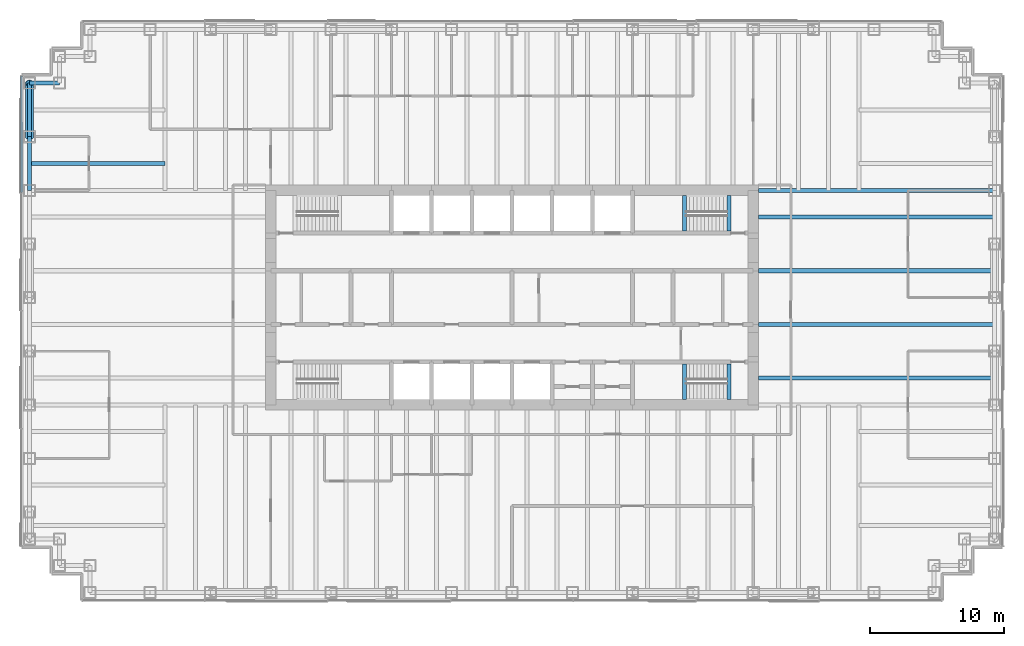
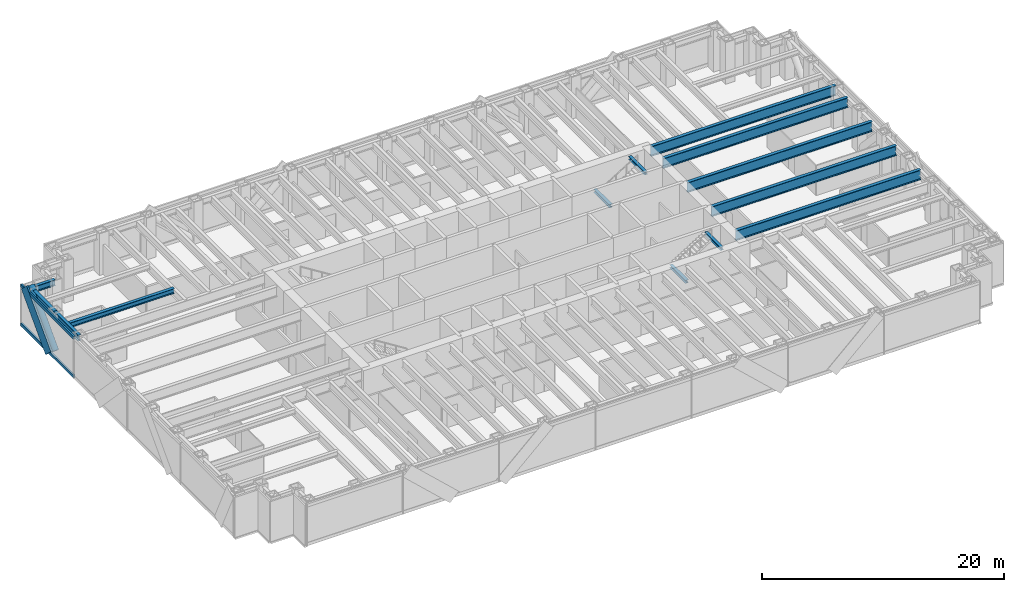
# One storey, part 4 of 14: 13 beams, 4 members, 1 element without a shape of its own.
"""IFC4 building model written with IfcOpenShell, lengths in metres."""

from ifc_helpers import new_model, si_unit, direction, frame, origin, origin_2d, place, context, subcontext, project, spatial, rectangle, hollow_circle, i_section, extrude, material, material_profile, profile_set, type_object, element, aggregate, save


model = new_model("IFC4")

# Units and contexts
model_context = context("Model", 3, precision=1e-05, world=origin(), true_north=direction((0.0, 1.0)))
body_context = subcontext(model_context, "Body", "Model", "MODEL_VIEW")
ifc_project = project(units=[si_unit("LENGTHUNIT", "METRE"), si_unit("AREAUNIT", "SQUARE_METRE"), si_unit("VOLUMEUNIT", "CUBIC_METRE"), si_unit("PLANEANGLEUNIT", "RADIAN"), si_unit("MASSUNIT", "GRAM", prefix="KILO")], contexts=[model_context])

# Site, building, storey
site_placement = place(None, origin())
site = spatial("IfcSite", under=ifc_project, at=site_placement, CompositionType="ELEMENT")
building_placement = place(site_placement, origin())
building = spatial("IfcBuilding", under=site, at=building_placement, Name="Rheinbord Bourse Tower", CompositionType="ELEMENT")
storey_placement = place(building_placement, frame((0.0, 0.0, 232.0)))
storey = spatial("IfcBuildingStorey", under=building, at=storey_placement, Name="L52", CompositionType="ELEMENT", Elevation=232.0)

# Curtain wall, members
ifc_material_1 = material(Name="Dark glass and black aluminium", Category="aluminium")
curtain_wall_type = type_object("IfcCurtainWallType", Name="CW2 DARK GLASS CURTAIN WALL", PredefinedType="USERDEFINED", material=ifc_material_1)
curtain_wall_placement = place(storey_placement, origin())
curtain_wall = element("IfcCurtainWall", 1, at=curtain_wall_placement, inside=storey, type_object=curtain_wall_type, Name="Curtain wall CW2 W L52", ObjectType="UNITISED CURTAIN WALL", PredefinedType="USERDEFINED")
ifc_material_2 = material(Name="Black anodised aluminium", Category="aluminium")
ifc_material_profile_1 = material_profile(ifc_material_2, rectangle(XDim=0.159912109375, YDim=1.2099609375, at=origin_2d()), Name="CW2 DIAGONAL MULLION 1210x160")
ifc_profile_set_1 = profile_set([ifc_material_profile_1], Name="Black anodised aluminium")
member_type_1 = type_object("IfcMemberType", Name="CW2 BLACK DIAGONAL MULLION", PredefinedType="USERDEFINED", material=ifc_profile_set_1)
member_1_placement = place(storey_placement, frame((-0.60009765625, 36.0, 0.0), z_axis=(0.0, 0.689659376744, 0.724133926887), x_axis=(-1.0, 0.0, 0.0)))
member_1 = element("IfcMember", 2, at=member_1_placement, type_object=member_type_1, Name="CW2 diagonal mullion b", ObjectType="DIAGONAL MULLION", PredefinedType="USERDEFINED", context=body_context, shape_type="SweptSolid", body=[
    extrude(rectangle(XDim=0.159912109375, YDim=1.2099609375, at=origin_2d()), origin(), (0.0, 0.0, 1.0), 5.800048828125),
])
ifc_material_3 = material(Name="Black anodised aluminium", Category="aluminium")
ifc_material_profile_2 = material_profile(ifc_material_3, rectangle(XDim=0.159912109375, YDim=0.300048828125, at=origin_2d()), Name="CW2 TRANSOM 300x160")
ifc_profile_set_2 = profile_set([ifc_material_profile_2], Name="Black anodised aluminium")
member_type_2 = type_object("IfcMemberType", Name="CW2 BLACK TRANSOM", PredefinedType="USERDEFINED", material=ifc_profile_set_2)
member_2_placement = place(storey_placement, frame((-0.60009765625, 40.530029296875, 0.14990234375), z_axis=(0.0, -1.0, 0.0), x_axis=(1.0, 0.0, 0.0)))
member_2 = element("IfcMember", 3, at=member_2_placement, type_object=member_type_2, Name="CW2 transom 1.1", ObjectType="TRANSOM", PredefinedType="USERDEFINED", context=body_context, shape_type="SweptSolid", body=[
    extrude(rectangle(XDim=0.159912109375, YDim=0.300048828125, at=origin_2d()), origin(), (0.0, 0.0, 1.0), 8.695068359375),
])
member_3_placement = place(storey_placement, frame((-0.60009765625, 40.530029296875, 4.050048828125), z_axis=(0.0, -1.0, 0.0), x_axis=(1.0, 0.0, 0.0)))
member_3 = element("IfcMember", 4, at=member_3_placement, type_object=member_type_2, Name="CW2 transom 1.2", ObjectType="TRANSOM", PredefinedType="USERDEFINED", context=body_context, shape_type="SweptSolid", body=[
    extrude(rectangle(XDim=0.159912109375, YDim=0.300048828125, at=origin_2d()), origin(), (0.0, 0.0, 1.0), 8.695068359375),
])
aggregate(curtain_wall, [member_2, member_3, member_1])

# Beams
ifc_material_4 = material(Name="Steel S460", Category="steel")
ifc_material_profile_3 = material_profile(ifc_material_4, i_section(OverallWidth=0.302001953125, OverallDepth=1.008056640625, WebThickness=0.02099609375, FlangeThickness=0.0400390625, at=origin_2d()), Name="HEM 1000")
ifc_profile_set_3 = profile_set([ifc_material_profile_3], Name="Steel S460")
beam_type_1 = type_object("IfcBeamType", Name="END BEAM HEM 1000", PredefinedType="BEAM", material=ifc_profile_set_3)
for number, where, z_axis, x_axis, name in (
    (5, (54.39990234375, 18.0, 3.535888671875), (1.0, 0.0, 0.0), (0.0, 1.0, 0.0), "End beam east 18 L53"),
    (6, (54.39990234375, 22.0, 3.535888671875), (1.0, 0.0, 0.0), (0.0, 1.0, 0.0), "End beam east 22 L53"),
    (7, (54.39990234375, 26.0, 3.535888671875), (1.0, 0.0, 0.0), (0.0, 1.0, 0.0), "End beam east 26 L53"),
    (8, (54.39990234375, 30.0, 3.535888671875), (1.0, 0.0, 0.0), (0.0, 1.0, 0.0), "End beam east 30 L53"),
):
    element("IfcBeam", number, at=place(storey_placement, frame(where, z_axis=z_axis, x_axis=x_axis)), inside=storey, type_object=beam_type_1, Name=name, PredefinedType="BEAM", context=body_context, shape_type="SweptSolid", body=[
        extrude(i_section(OverallWidth=0.302001953125, OverallDepth=1.008056640625, WebThickness=0.02099609375, FlangeThickness=0.0400390625, at=origin_2d()), origin(), (0.0, 0.0, 1.0), 17.60009765625),
    ])
ifc_material_5 = material(Name="Steel S460", Category="steel")
ifc_material_profile_4 = material_profile(ifc_material_5, i_section(OverallWidth=0.302001953125, OverallDepth=1.008056640625, WebThickness=0.02099609375, FlangeThickness=0.0400390625, at=origin_2d()), Name="HEM 1000")
ifc_profile_set_4 = profile_set([ifc_material_profile_4], Name="Steel S460")
beam_type_2 = type_object("IfcBeamType", Name="GIRDER HEM 1000", PredefinedType="BEAM", material=ifc_profile_set_4)
beam_1_placement = place(storey_placement, frame((54.39990234375, 32.0, 3.535888671875), z_axis=(1.0, 0.0, 0.0), x_axis=(0.0, 1.0, 0.0)))
element("IfcBeam", 9, at=beam_1_placement, inside=storey, type_object=beam_type_2, Name="Girder east 32 L53", PredefinedType="BEAM", context=body_context, shape_type="SweptSolid", body=[
    extrude(i_section(OverallWidth=0.302001953125, OverallDepth=1.008056640625, WebThickness=0.02099609375, FlangeThickness=0.0400390625, at=origin_2d()), origin(), (0.0, 0.0, 1.0), 17.60009765625),
])
ifc_material_6 = material(Name="Steel S460", Category="steel")
ifc_material_profile_5 = material_profile(ifc_material_6, i_section(OverallWidth=0.300048828125, OverallDepth=0.300048828125, WebThickness=0.010986328125, FlangeThickness=0.01904296875, at=origin_2d()), Name="HEB 300")
ifc_profile_set_5 = profile_set([ifc_material_profile_5], Name="Steel S460")
beam_type_3 = type_object("IfcBeamType", Name="LANDING TRIMMER HEB 300", PredefinedType="BEAM", material=ifc_profile_set_5)
for number, where, z_axis, x_axis, name in (
    (10, (48.8701171875, 16.39990234375, 1.75), (0.0, 1.0, 0.0), (-1.0, 0.0, 0.0), "Landing trimmer ST3 L52"),
    (11, (52.199951171875, 16.39990234375, 3.889892578125), (0.0, 1.0, 0.0), (-1.0, 0.0, 0.0), "Well trimmer ST3 under L53"),
    (12, (48.8701171875, 28.949951171875, 1.75), (0.0, 1.0, 0.0), (-1.0, 0.0, 0.0), "Landing trimmer ST4 L52"),
    (13, (52.199951171875, 28.949951171875, 3.889892578125), (0.0, 1.0, 0.0), (-1.0, 0.0, 0.0), "Well trimmer ST4 under L53"),
):
    element("IfcBeam", number, at=place(storey_placement, frame(where, z_axis=z_axis, x_axis=x_axis)), inside=storey, type_object=beam_type_3, Name=name, PredefinedType="BEAM", context=body_context, shape_type="SweptSolid", body=[
        extrude(i_section(OverallWidth=0.300048828125, OverallDepth=0.300048828125, WebThickness=0.010986328125, FlangeThickness=0.01904296875, at=origin_2d()), origin(), (0.0, 0.0, 1.0), 2.650146484375),
    ])

# Member
ifc_material_7 = material(Name="Steel S460", Category="steel")
ifc_material_profile_6 = material_profile(ifc_material_7, hollow_circle(Radius=0.304931640625, WallThickness=0.0400390625, at=origin_2d()), Name="CHS 610x40")
ifc_profile_set_6 = profile_set([ifc_material_profile_6], Name="Steel S460")
member_type_3 = type_object("IfcMemberType", Name="MEGABRACE CHS 610x40", PredefinedType="BRACE", material=ifc_profile_set_6)
member_4_placement = place(storey_placement, frame((0.0, 36.0, 0.0), z_axis=(0.0, 0.689659376744, 0.724133926887), x_axis=(-1.0, 0.0, 0.0)))
element("IfcMember", 14, at=member_4_placement, inside=storey, type_object=member_type_3, Name="Megabrace W face line b L52", PredefinedType="BRACE", context=body_context, shape_type="SweptSolid", body=[
    extrude(hollow_circle(Radius=0.304931640625, WallThickness=0.0400390625, at=origin_2d()), origin(), (0.0, 0.0, 1.0), 5.800048828125),
])

# Beams
ifc_material_8 = material(Name="Steel S460", Category="steel")
ifc_material_profile_7 = material_profile(ifc_material_8, i_section(OverallWidth=0.300048828125, OverallDepth=0.60009765625, WebThickness=0.015380859375, FlangeThickness=0.030029296875, at=origin_2d()), Name="HEB 600")
ifc_profile_set_7 = profile_set([ifc_material_profile_7], Name="Steel S460")
beam_type_4 = type_object("IfcBeamType", Name="SPANDREL HEB 600", PredefinedType="SPANDREL", material=ifc_profile_set_7)
beam_2_placement = place(storey_placement, frame((2.25, 40.0, 3.739990234375), z_axis=(-1.0, 0.0, 0.0), x_axis=(0.0, -1.0, 0.0)))
element("IfcBeam", 15, at=beam_2_placement, inside=storey, type_object=beam_type_4, Name="Spandrel NW-B-NW-A under L53", PredefinedType="SPANDREL", context=body_context, shape_type="SweptSolid", body=[
    extrude(i_section(OverallWidth=0.300048828125, OverallDepth=0.60009765625, WebThickness=0.015380859375, FlangeThickness=0.030029296875, at=origin_2d()), origin(), (0.0, 0.0, 1.0), 2.25),
])
for number, where, z_axis, x_axis, name in (
    (16, (0.0, 40.0, 3.739990234375), (0.0, -1.0, 0.0), (1.0, 0.0, 0.0), "Spandrel NW-A-W-36 under L53"),
    (17, (0.0, 36.0, 3.739990234375), (0.0, -1.0, 0.0), (1.0, 0.0, 0.0), "Spandrel W-36-W-32 under L53"),
):
    element("IfcBeam", number, at=place(storey_placement, frame(where, z_axis=z_axis, x_axis=x_axis)), inside=storey, type_object=beam_type_4, Name=name, PredefinedType="SPANDREL", context=body_context, shape_type="SweptSolid", body=[
        extrude(i_section(OverallWidth=0.300048828125, OverallDepth=0.60009765625, WebThickness=0.015380859375, FlangeThickness=0.030029296875, at=origin_2d()), origin(), (0.0, 0.0, 1.0), 4.0),
    ])
ifc_material_9 = material(Name="Steel S460", Category="steel")
ifc_material_profile_8 = material_profile(ifc_material_9, i_section(OverallWidth=0.300048828125, OverallDepth=0.5, WebThickness=0.014404296875, FlangeThickness=0.028076171875, at=origin_2d()), Name="HEB 500")
ifc_profile_set_8 = profile_set([ifc_material_profile_8], Name="Steel S460")
beam_type_5 = type_object("IfcBeamType", Name="TIE BEAM HEB 500", PredefinedType="JOIST", material=ifc_profile_set_8)
beam_3_placement = place(storey_placement, frame((0.0, 34.0, 3.7900390625), z_axis=(1.0, 0.0, 0.0), x_axis=(0.0, 1.0, 0.0)))
element("IfcBeam", 18, at=beam_3_placement, inside=storey, type_object=beam_type_5, Name="Tie west 34 L53", PredefinedType="JOIST", context=body_context, shape_type="SweptSolid", body=[
    extrude(i_section(OverallWidth=0.300048828125, OverallDepth=0.5, WebThickness=0.014404296875, FlangeThickness=0.028076171875, at=origin_2d()), origin(), (0.0, 0.0, 1.0), 10.125),
])

save(model, "model.ifc")
